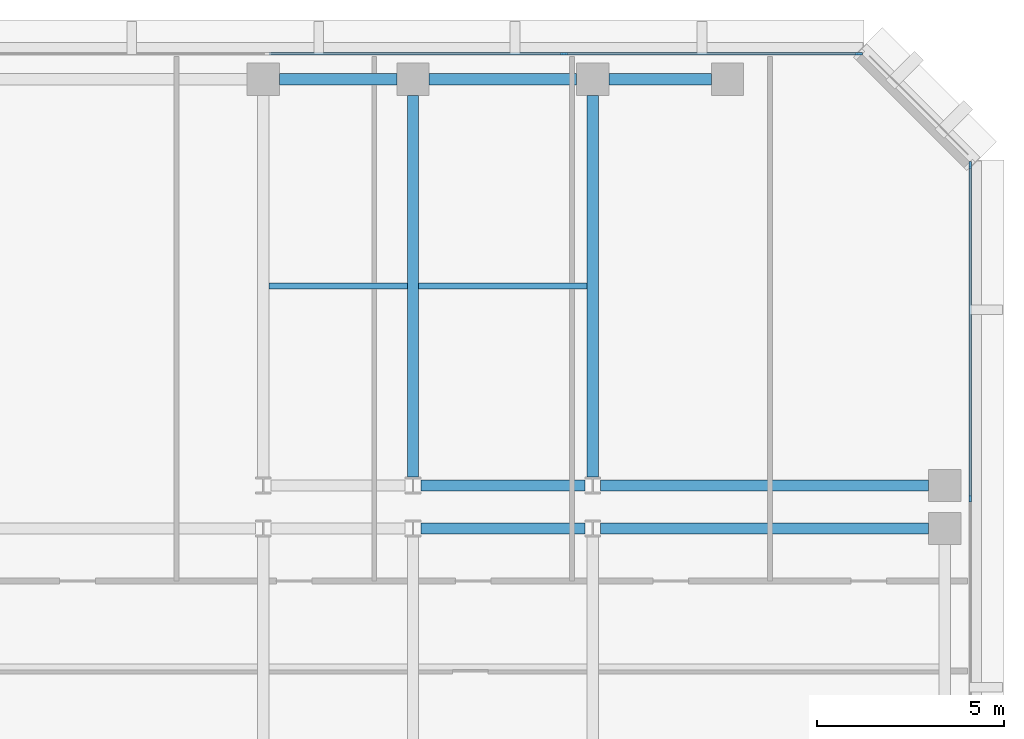
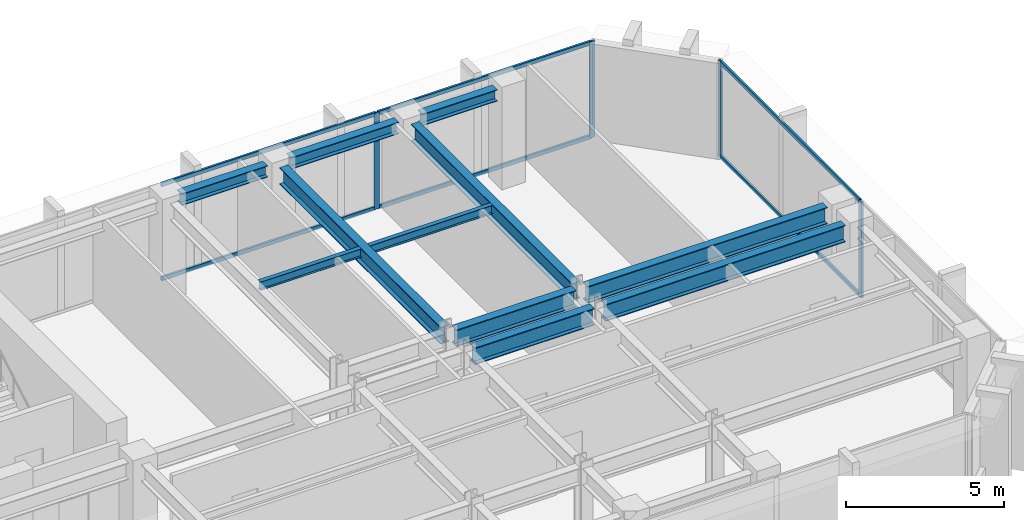
# One storey, part 5 of 11: 11 beams, 10 members, 2 elements without a shape of their own.
"""IFC4 building model written with IfcOpenShell, lengths in metres."""

from ifc_helpers import new_model, si_unit, direction, frame, origin, origin_2d, place, context, subcontext, project, spatial, rectangle, i_section, extrude, material, layer, layer_set, material_profile, profile_set, type_object, element, aggregate, save


model = new_model("IFC4")

# Units and contexts
model_context = context("Model", 3, precision=1e-05, world=origin(), true_north=direction((0.0, 1.0)))
body_context = subcontext(model_context, "Body", "Model", "MODEL_VIEW")
ifc_project = project(units=[si_unit("LENGTHUNIT", "METRE"), si_unit("AREAUNIT", "SQUARE_METRE"), si_unit("VOLUMEUNIT", "CUBIC_METRE"), si_unit("PLANEANGLEUNIT", "RADIAN"), si_unit("MASSUNIT", "GRAM", prefix="KILO")], contexts=[model_context])

# Site, building, storey
site_placement = place(None, origin())
site = spatial("IfcSite", under=ifc_project, at=site_placement, CompositionType="ELEMENT")
building_placement = place(site_placement, origin())
building = spatial("IfcBuilding", under=site, at=building_placement, Name="Kefirva Bronze Tower", CompositionType="ELEMENT")
storey_placement = place(building_placement, frame((0.0, 0.0, 187.43994140625)))
storey = spatial("IfcBuildingStorey", under=building, at=storey_placement, Name="L45", CompositionType="ELEMENT", Elevation=187.43994140625)

# Curtain wall, members
ifc_material_1 = material(Name="Bronze anodised aluminium", Category="aluminium")
ifc_layer = layer(ifc_material_1, 0.199951171875, Name="Bronze anodised aluminium")
ifc_layer_set = layer_set([ifc_layer], Name="Bronze anodised aluminium")
curtain_wall_type = type_object("IfcCurtainWallType", Name="Unitised Bronze Ribbon Curtain Wall Zone 2", PredefinedType="USERDEFINED", material=ifc_layer_set)
curtain_wall_1_placement = place(storey_placement, origin())
curtain_wall_1 = element("IfcCurtainWall", 1, at=curtain_wall_1_placement, inside=storey, type_object=curtain_wall_type, Name="L45 Curtain Wall 4", ObjectType="UNITISED CURTAIN WALL", PredefinedType="USERDEFINED")
ifc_material_profile_1 = material_profile(ifc_material_1, rectangle(XDim=0.074951171875, YDim=0.179931640625, at=origin_2d()), Name="ALU 75x180")
ifc_profile_set_1 = profile_set([ifc_material_profile_1], Name="Bronze anodised aluminium")
member_type_1 = type_object("IfcMemberType", Name="Bronze Mullion 75x180", PredefinedType="MULLION", material=ifc_profile_set_1)
member_1_placement = place(storey_placement, frame((50.080078125, 34.0, 0.0), z_axis=(0.0, 0.0, 1.0), x_axis=(-1.0, 0.0, 0.0)))
member_1 = element("IfcMember", 2, at=member_1_placement, type_object=member_type_1, Name="CW-02 mullion 2", PredefinedType="MULLION", context=body_context, shape_type="SweptSolid", body=[
    extrude(rectangle(XDim=0.074951171875, YDim=0.179931640625, at=origin_2d()), origin(), (0.0, 0.0, 1.0), 3.7099609375),
])
member_2_placement = place(storey_placement, frame((50.080078125, 42.907470703125, 0.0), z_axis=(0.0, 0.0, 1.0), x_axis=(-1.0, 0.0, 0.0)))
member_2 = element("IfcMember", 3, at=member_2_placement, type_object=member_type_1, Name="CW-02 mullion 3", PredefinedType="MULLION", context=body_context, shape_type="SweptSolid", body=[
    extrude(rectangle(XDim=0.074951171875, YDim=0.179931640625, at=origin_2d()), origin(), (0.0, 0.0, 1.0), 3.7099609375),
])

curtain_wall_2_placement = place(storey_placement, origin())
curtain_wall_2 = element("IfcCurtainWall", 4, at=curtain_wall_2_placement, inside=storey, type_object=curtain_wall_type, Name="L45 Curtain Wall 5", ObjectType="UNITISED CURTAIN WALL", PredefinedType="USERDEFINED")
member_3_placement = place(storey_placement, frame((47.107421875, 45.8798828125, 0.0), z_axis=(0.0, 0.0, 1.0), x_axis=(0.0, -1.0, 0.0)))
member_3 = element("IfcMember", 5, at=member_3_placement, type_object=member_type_1, Name="CW-02 mullion 1", PredefinedType="MULLION", context=body_context, shape_type="SweptSolid", body=[
    extrude(rectangle(XDim=0.074951171875, YDim=0.179931640625, at=origin_2d()), origin(), (0.0, 0.0, 1.0), 3.7099609375),
])
member_4_placement = place(storey_placement, frame((39.231689453125, 45.8798828125, 0.0), z_axis=(0.0, 0.0, 1.0), x_axis=(0.0, -1.0, 0.0)))
member_4 = element("IfcMember", 6, at=member_4_placement, type_object=member_type_1, Name="CW-02 mullion 2", PredefinedType="MULLION", context=body_context, shape_type="SweptSolid", body=[
    extrude(rectangle(XDim=0.074951171875, YDim=0.179931640625, at=origin_2d()), origin(), (0.0, 0.0, 1.0), 3.7099609375),
])

# Member
ifc_material_profile_2 = material_profile(ifc_material_1, rectangle(XDim=0.074951171875, YDim=0.14990234375, at=origin_2d()), Name="ALU 75x150")
ifc_profile_set_2 = profile_set([ifc_material_profile_2], Name="Bronze anodised aluminium")
member_type_2 = type_object("IfcMemberType", Name="Bronze Transom 75x150", PredefinedType="USERDEFINED", material=ifc_profile_set_2)
member_5_placement = place(storey_placement, frame((50.080078125, 34.03759765625, 0.03759765625), z_axis=(0.0, 1.0, 0.0), x_axis=(-1.0, 0.0, 0.0)))
member_5 = element("IfcMember", 7, at=member_5_placement, type_object=member_type_2, Name="CW-02 transom 2.1", ObjectType="TRANSOM", PredefinedType="USERDEFINED", context=body_context, shape_type="SweptSolid", body=[
    extrude(rectangle(XDim=0.074951171875, YDim=0.14990234375, at=origin_2d()), origin(), (0.0, 0.0, 1.0), 8.83251953125),
])

member_6_placement = place(storey_placement, frame((50.080078125, 34.03759765625, 3.672607421875), z_axis=(0.0, 1.0, 0.0), x_axis=(-1.0, 0.0, 0.0)))
member_6 = element("IfcMember", 8, at=member_6_placement, type_object=member_type_2, Name="CW-02 transom 2.2", ObjectType="TRANSOM", PredefinedType="USERDEFINED", context=body_context, shape_type="SweptSolid", body=[
    extrude(rectangle(XDim=0.074951171875, YDim=0.14990234375, at=origin_2d()), origin(), (0.0, 0.0, 1.0), 8.83251953125),
])

aggregate(curtain_wall_1, [member_1, member_2, member_5, member_6])

member_7_placement = place(storey_placement, frame((47.070068359375, 45.8798828125, 0.03759765625), z_axis=(-1.0, 0.0, 0.0), x_axis=(0.0, -1.0, 0.0)))
member_7 = element("IfcMember", 9, at=member_7_placement, type_object=member_type_2, Name="CW-02 transom 1.1", ObjectType="TRANSOM", PredefinedType="USERDEFINED", context=body_context, shape_type="SweptSolid", body=[
    extrude(rectangle(XDim=0.074951171875, YDim=0.14990234375, at=origin_2d()), origin(), (0.0, 0.0, 1.0), 7.80078125),
])

member_8_placement = place(storey_placement, frame((47.070068359375, 45.8798828125, 3.672607421875), z_axis=(-1.0, 0.0, 0.0), x_axis=(0.0, -1.0, 0.0)))
member_8 = element("IfcMember", 10, at=member_8_placement, type_object=member_type_2, Name="CW-02 transom 1.2", ObjectType="TRANSOM", PredefinedType="USERDEFINED", context=body_context, shape_type="SweptSolid", body=[
    extrude(rectangle(XDim=0.074951171875, YDim=0.14990234375, at=origin_2d()), origin(), (0.0, 0.0, 1.0), 7.80078125),
])

member_9_placement = place(storey_placement, frame((39.194091796875, 45.8798828125, 0.03759765625), z_axis=(-1.0, 0.0, 0.0), x_axis=(0.0, -1.0, 0.0)))
member_9 = element("IfcMember", 11, at=member_9_placement, type_object=member_type_2, Name="CW-02 transom 2.1", ObjectType="TRANSOM", PredefinedType="USERDEFINED", context=body_context, shape_type="SweptSolid", body=[
    extrude(rectangle(XDim=0.074951171875, YDim=0.14990234375, at=origin_2d()), origin(), (0.0, 0.0, 1.0), 7.83837890625),
])

member_10_placement = place(storey_placement, frame((39.194091796875, 45.8798828125, 3.672607421875), z_axis=(-1.0, 0.0, 0.0), x_axis=(0.0, -1.0, 0.0)))
member_10 = element("IfcMember", 12, at=member_10_placement, type_object=member_type_2, Name="CW-02 transom 2.2", ObjectType="TRANSOM", PredefinedType="USERDEFINED", context=body_context, shape_type="SweptSolid", body=[
    extrude(rectangle(XDim=0.074951171875, YDim=0.14990234375, at=origin_2d()), origin(), (0.0, 0.0, 1.0), 7.83837890625),
])

aggregate(curtain_wall_2, [member_3, member_4, member_7, member_8, member_9, member_10])

# Beams
ifc_material_2 = material(Name="Steel S355", Category="steel")
ifc_material_profile_3 = material_profile(ifc_material_2, i_section(OverallWidth=0.159912109375, OverallDepth=0.330078125, WebThickness=0.007568359375, FlangeThickness=0.011474609375, at=origin_2d()), Name="IPE 330")
ifc_profile_set_3 = profile_set([ifc_material_profile_3], Name="Steel S355")
beam_type_1 = type_object("IfcBeamType", Name="Steel Floor Joist IPE 330", PredefinedType="JOIST", material=ifc_profile_set_3)
beam_1_placement = place(storey_placement, frame((31.35009765625, 39.673583984375, 3.545166015625), z_axis=(1.0, 0.0, 0.0), x_axis=(0.0, 1.0, 0.0)))
element("IfcBeam", 13, at=beam_1_placement, inside=storey, type_object=beam_type_1, Name="L45 JST-L45-31-396", PredefinedType="JOIST", context=body_context, shape_type="SweptSolid", body=[
    extrude(i_section(OverallWidth=0.159912109375, OverallDepth=0.330078125, WebThickness=0.007568359375, FlangeThickness=0.011474609375, at=origin_2d()), origin(), (0.0, 0.0, 1.0), 3.699951171875),
])
beam_2_placement = place(storey_placement, frame((35.35009765625, 39.673583984375, 3.545166015625), z_axis=(1.0, 0.0, 0.0), x_axis=(0.0, 1.0, 0.0)))
element("IfcBeam", 14, at=beam_2_placement, inside=storey, type_object=beam_type_1, Name="L45 JST-L45-35-396", PredefinedType="JOIST", context=body_context, shape_type="SweptSolid", body=[
    extrude(i_section(OverallWidth=0.159912109375, OverallDepth=0.330078125, WebThickness=0.007568359375, FlangeThickness=0.011474609375, at=origin_2d()), origin(), (0.0, 0.0, 1.0), 4.5),
])
ifc_material_profile_4 = material_profile(ifc_material_2, i_section(OverallWidth=0.300048828125, OverallDepth=0.64990234375, WebThickness=0.01611328125, FlangeThickness=0.031005859375, at=origin_2d()), Name="HEB 650")
ifc_profile_set_4 = profile_set([ifc_material_profile_4], Name="Steel S355")
beam_type_2 = type_object("IfcBeamType", Name="Steel Girder HEB 650", PredefinedType="USERDEFINED", material=ifc_profile_set_4)
beam_3_placement = place(storey_placement, frame((35.408935546875, 33.199951171875, 3.385009765625), z_axis=(1.0, 0.0, 0.0), x_axis=(0.0, 1.0, 0.0)))
element("IfcBeam", 15, at=beam_3_placement, inside=storey, type_object=beam_type_2, Name="L45 BM-L45-EW-35-332", ObjectType="GIRDER", PredefinedType="USERDEFINED", context=body_context, shape_type="SweptSolid", body=[
    extrude(i_section(OverallWidth=0.300048828125, OverallDepth=0.64990234375, WebThickness=0.01611328125, FlangeThickness=0.031005859375, at=origin_2d()), origin(), (0.0, 0.0, 1.0), 4.382080078125),
])
beam_4_placement = place(storey_placement, frame((40.208984375, 33.199951171875, 3.385009765625), z_axis=(1.0, 0.0, 0.0), x_axis=(0.0, 1.0, 0.0)))
element("IfcBeam", 16, at=beam_4_placement, inside=storey, type_object=beam_type_2, Name="L45 BM-L45-EW-40-332", ObjectType="GIRDER", PredefinedType="USERDEFINED", context=body_context, shape_type="SweptSolid", body=[
    extrude(i_section(OverallWidth=0.300048828125, OverallDepth=0.64990234375, WebThickness=0.01611328125, FlangeThickness=0.031005859375, at=origin_2d()), origin(), (0.0, 0.0, 1.0), 8.760986328125),
])
beam_5_placement = place(storey_placement, frame((35.408935546875, 34.35009765625, 3.385009765625), z_axis=(1.0, 0.0, 0.0), x_axis=(0.0, 1.0, 0.0)))
element("IfcBeam", 17, at=beam_5_placement, inside=storey, type_object=beam_type_2, Name="L45 BM-L45-EW-35-344", ObjectType="GIRDER", PredefinedType="USERDEFINED", context=body_context, shape_type="SweptSolid", body=[
    extrude(i_section(OverallWidth=0.300048828125, OverallDepth=0.64990234375, WebThickness=0.01611328125, FlangeThickness=0.031005859375, at=origin_2d()), origin(), (0.0, 0.0, 1.0), 4.382080078125),
])
beam_6_placement = place(storey_placement, frame((40.208984375, 34.35009765625, 3.385009765625), z_axis=(1.0, 0.0, 0.0), x_axis=(0.0, 1.0, 0.0)))
element("IfcBeam", 18, at=beam_6_placement, inside=storey, type_object=beam_type_2, Name="L45 BM-L45-EW-40-344", ObjectType="GIRDER", PredefinedType="USERDEFINED", context=body_context, shape_type="SweptSolid", body=[
    extrude(i_section(OverallWidth=0.300048828125, OverallDepth=0.64990234375, WebThickness=0.01611328125, FlangeThickness=0.031005859375, at=origin_2d()), origin(), (0.0, 0.0, 1.0), 8.760986328125),
])
for number, where, z_axis, x_axis, name in (
    (19, (35.199951171875, 34.577392578125, 3.385009765625), (0.0, 1.0, 0.0), (-1.0, 0.0, 0.0), "L45 BM-L45-NS-352-34"),
    (20, (40.0, 34.577392578125, 3.385009765625), (0.0, 1.0, 0.0), (-1.0, 0.0, 0.0), "L45 BM-L45-NS-400-34"),
):
    element("IfcBeam", number, at=place(storey_placement, frame(where, z_axis=z_axis, x_axis=x_axis)), inside=storey, type_object=beam_type_2, Name=name, ObjectType="GIRDER", PredefinedType="USERDEFINED", context=body_context, shape_type="SweptSolid", body=[
        extrude(i_section(OverallWidth=0.300048828125, OverallDepth=0.64990234375, WebThickness=0.01611328125, FlangeThickness=0.031005859375, at=origin_2d()), origin(), (0.0, 0.0, 1.0), 10.192626953125),
    ])
ifc_material_profile_5 = material_profile(ifc_material_2, i_section(OverallWidth=0.300048828125, OverallDepth=0.449951171875, WebThickness=0.013916015625, FlangeThickness=0.02587890625, at=origin_2d()), Name="HEB 450")
ifc_profile_set_5 = profile_set([ifc_material_profile_5], Name="Steel S355")
beam_type_3 = type_object("IfcBeamType", Name="Steel Spandrel HEB 450 Ext", PredefinedType="SPANDREL", material=ifc_profile_set_5)
beam_7_placement = place(storey_placement, frame((31.6298828125, 45.199951171875, 3.485107421875), z_axis=(1.0, 0.0, 0.0), x_axis=(0.0, 1.0, 0.0)))
element("IfcBeam", 21, at=beam_7_placement, inside=storey, type_object=beam_type_3, Name="L45 BM-L45-EW-31-452", PredefinedType="SPANDREL", context=body_context, shape_type="SweptSolid", body=[
    extrude(i_section(OverallWidth=0.300048828125, OverallDepth=0.449951171875, WebThickness=0.013916015625, FlangeThickness=0.02587890625, at=origin_2d()), origin(), (0.0, 0.0, 1.0), 3.14013671875),
])
beam_8_placement = place(storey_placement, frame((35.6298828125, 45.199951171875, 3.485107421875), z_axis=(1.0, 0.0, 0.0), x_axis=(0.0, 1.0, 0.0)))
element("IfcBeam", 22, at=beam_8_placement, inside=storey, type_object=beam_type_3, Name="L45 BM-L45-EW-35-452", PredefinedType="SPANDREL", context=body_context, shape_type="SweptSolid", body=[
    extrude(i_section(OverallWidth=0.300048828125, OverallDepth=0.449951171875, WebThickness=0.013916015625, FlangeThickness=0.02587890625, at=origin_2d()), origin(), (0.0, 0.0, 1.0), 3.940185546875),
])
beam_9_placement = place(storey_placement, frame((40.429931640625, 45.199951171875, 3.485107421875), z_axis=(1.0, 0.0, 0.0), x_axis=(0.0, 1.0, 0.0)))
element("IfcBeam", 23, at=beam_9_placement, inside=storey, type_object=beam_type_3, Name="L45 BM-L45-EW-40-452", PredefinedType="SPANDREL", context=body_context, shape_type="SweptSolid", body=[
    extrude(i_section(OverallWidth=0.300048828125, OverallDepth=0.449951171875, WebThickness=0.013916015625, FlangeThickness=0.02587890625, at=origin_2d()), origin(), (0.0, 0.0, 1.0), 2.739990234375),
])

save(model, "model.ifc")
